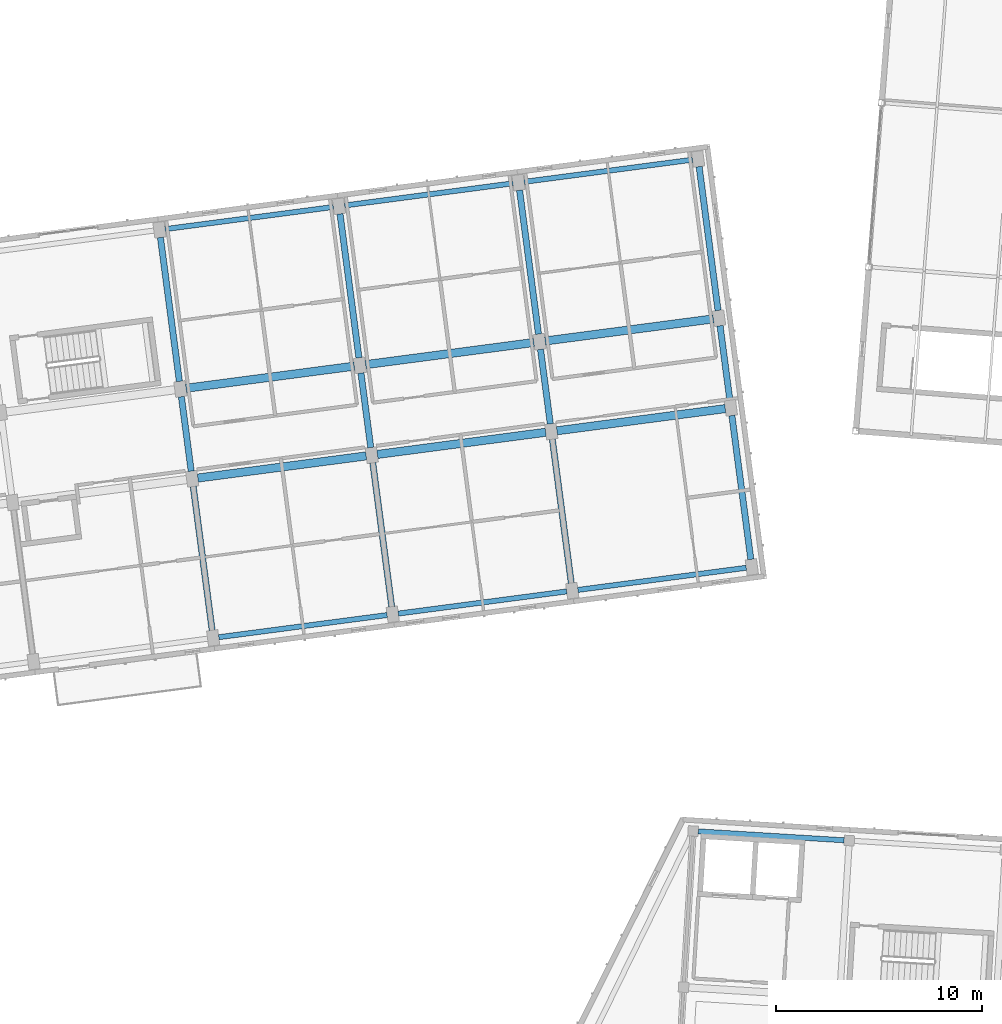
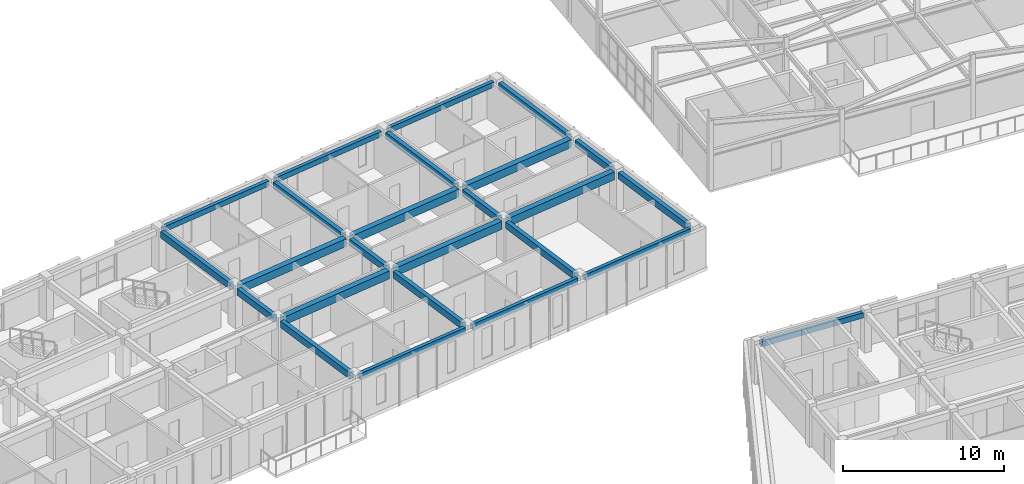
# One storey, part 36 of 127: 25 beams.
"""IFC4 building model written with IfcOpenShell, lengths in metres."""

from ifc_helpers import new_model, si_unit, direction, frame, origin, origin_2d, place, context, subcontext, project, spatial, rectangle, extrude, material, material_profile, profile_set, type_object, element, save


model = new_model("IFC4")

# Units and contexts
model_context = context("Model", 3, precision=1e-05, world=origin(), true_north=direction((0.0, 1.0)))
body_context = subcontext(model_context, "Body", "Model", "MODEL_VIEW")
ifc_project = project(units=[si_unit("LENGTHUNIT", "METRE"), si_unit("AREAUNIT", "SQUARE_METRE"), si_unit("VOLUMEUNIT", "CUBIC_METRE"), si_unit("PLANEANGLEUNIT", "RADIAN"), si_unit("MASSUNIT", "GRAM", prefix="KILO")], contexts=[model_context])

# Site, building, storey
site_placement = place(None, origin())
site = spatial("IfcSite", under=ifc_project, at=site_placement, CompositionType="ELEMENT")
building_placement = place(site_placement, origin())
building = spatial("IfcBuilding", under=site, at=building_placement, Name="Kestramere Prow Commons", CompositionType="ELEMENT")
storey_placement = place(building_placement, frame((0.0, 0.0, 8.39990234375)))
storey = spatial("IfcBuildingStorey", under=building, at=storey_placement, Name="L02", CompositionType="ELEMENT", Elevation=8.39990234375)

# Beams
ifc_material = material(Name="Precast concrete C40/50", Category="concrete")
ifc_material_profile_1 = material_profile(ifc_material, rectangle(XDim=0.39990234375, YDim=0.60009765625, at=origin_2d()), Name="PC-BM 400x600")
ifc_profile_set_1 = profile_set([ifc_material_profile_1], Name="Precast concrete C40/50")
beam_type_1 = type_object("IfcBeamType", Name="BM-A1 PC-BM 400x600", PredefinedType="BEAM", material=ifc_profile_set_1)
beam_1_placement = place(storey_placement, frame((36.628662109375, 83.215087890625, 2.7001953125), z_axis=(0.991443917843, 0.130533358852, 0.0), x_axis=(-0.130533358852, 0.991443917843, 0.0)))
element("IfcBeam", 1, at=beam_1_placement, inside=storey, type_object=beam_type_1, Name="Block A L02 Longitudinal Beam 2-4", PredefinedType="BEAM", context=body_context, shape_type="SweptSolid", body=[
    extrude(rectangle(XDim=0.39990234375, YDim=0.60009765625, at=origin_2d()), origin(), (0.0, 0.0, 1.0), 8.25),
])
beam_2_placement = place(storey_placement, frame((45.353515625, 84.36376953125, 2.7001953125), z_axis=(0.991447243185, 0.130508099291, 0.0), x_axis=(-0.130508099291, 0.991447243185, 0.0)))
element("IfcBeam", 2, at=beam_2_placement, inside=storey, type_object=beam_type_1, Name="Block A L02 Longitudinal Beam 2-5", PredefinedType="BEAM", context=body_context, shape_type="SweptSolid", body=[
    extrude(rectangle(XDim=0.39990234375, YDim=0.60009765625, at=origin_2d()), origin(), (0.0, 0.0, 1.0), 8.249755859375),
])
for number, where, z_axis, x_axis, name in (
    (3, (54.078125, 85.51220703125, 2.7001953125), (0.991443917843, 0.130533358852, 0.0), (-0.130533358852, 0.991443917843, 0.0), "Block A L02 Longitudinal Beam 2-6"),
    (4, (36.054443359375, 87.577392578125, 2.7001953125), (0.991443917843, 0.130533358852, 0.0), (-0.130533358852, 0.991443917843, 0.0), "Block A L02 Longitudinal Beam 3-4"),
    (5, (44.779052734375, 88.72607421875, 2.7001953125), (0.991443917843, 0.130533358852, 0.0), (-0.130533358852, 0.991443917843, 0.0), "Block A L02 Longitudinal Beam 3-5"),
):
    element("IfcBeam", number, at=place(storey_placement, frame(where, z_axis=z_axis, x_axis=x_axis)), inside=storey, type_object=beam_type_1, Name=name, PredefinedType="BEAM", context=body_context, shape_type="SweptSolid", body=[
        extrude(rectangle(XDim=0.39990234375, YDim=0.60009765625, at=origin_2d()), origin(), (0.0, 0.0, 1.0), 8.25),
    ])
beam_3_placement = place(storey_placement, frame((53.50390625, 89.874755859375, 2.7001953125), z_axis=(0.991447243185, 0.130508099291, 0.0), x_axis=(-0.130508099291, 0.991447243185, 0.0)))
element("IfcBeam", 6, at=beam_3_placement, inside=storey, type_object=beam_type_1, Name="Block A L02 Longitudinal Beam 3-6", PredefinedType="BEAM", context=body_context, shape_type="SweptSolid", body=[
    extrude(rectangle(XDim=0.39990234375, YDim=0.60009765625, at=origin_2d()), origin(), (0.0, 0.0, 1.0), 8.249755859375),
])
ifc_material_profile_2 = material_profile(ifc_material, rectangle(XDim=0.300048828125, YDim=0.5, at=origin_2d()), Name="PC-BM 300x500")
ifc_profile_set_2 = profile_set([ifc_material_profile_2], Name="Precast concrete C40/50")
beam_type_2 = type_object("IfcBeamType", Name="BM-TIE-01 PC-BM 300x500", PredefinedType="BEAM", material=ifc_profile_set_2)
beam_4_placement = place(storey_placement, frame((37.3251953125, 75.817626953125, 2.75), z_axis=(-0.130519009654, 0.99144580695, 0.0), x_axis=(-0.99144580695, -0.130519009654, 0.0)))
element("IfcBeam", 7, at=beam_4_placement, inside=storey, type_object=beam_type_2, Name="Block A L02 Transverse Beam 4-1", PredefinedType="BEAM", context=body_context, shape_type="SweptSolid", body=[
    extrude(rectangle(XDim=0.300048828125, YDim=0.5, at=origin_2d()), origin(), (0.0, 0.0, 1.0), 7.050048828125),
])
beam_5_placement = place(storey_placement, frame((36.30712890625, 83.551025390625, 2.75), z_axis=(-0.130568711427, 0.991439262687, 0.0), x_axis=(-0.991439262687, -0.130568711427, 0.0)))
element("IfcBeam", 8, at=beam_5_placement, inside=storey, type_object=beam_type_2, Name="Block A L02 Transverse Beam 4-2", PredefinedType="BEAM", context=body_context, shape_type="SweptSolid", body=[
    extrude(rectangle(XDim=0.300048828125, YDim=0.5, at=origin_2d()), origin(), (0.0, 0.0, 1.0), 3.64990234375),
])
for number, where, z_axis, x_axis, name in (
    (9, (35.732666015625, 87.913330078125, 2.75), (-0.130519009654, 0.99144580695, 0.0), (-0.99144580695, -0.130519009654, 0.0), "Block A L02 Transverse Beam 4-3"),
    (10, (46.0498046875, 76.96630859375, 2.75), (-0.130519009654, 0.99144580695, 0.0), (-0.99144580695, -0.130519009654, 0.0), "Block A L02 Transverse Beam 5-1"),
):
    element("IfcBeam", number, at=place(storey_placement, frame(where, z_axis=z_axis, x_axis=x_axis)), inside=storey, type_object=beam_type_2, Name=name, PredefinedType="BEAM", context=body_context, shape_type="SweptSolid", body=[
        extrude(rectangle(XDim=0.300048828125, YDim=0.5, at=origin_2d()), origin(), (0.0, 0.0, 1.0), 7.050048828125),
    ])
beam_6_placement = place(storey_placement, frame((45.03173828125, 84.699462890625, 2.75), z_axis=(-0.130494307047, 0.991449058615, 0.0), x_axis=(-0.991449058615, -0.130494307047, 0.0)))
element("IfcBeam", 11, at=beam_6_placement, inside=storey, type_object=beam_type_2, Name="Block A L02 Transverse Beam 5-2", PredefinedType="BEAM", context=body_context, shape_type="SweptSolid", body=[
    extrude(rectangle(XDim=0.300048828125, YDim=0.5, at=origin_2d()), origin(), (0.0, 0.0, 1.0), 3.650146484375),
])
beam_7_placement = place(storey_placement, frame((44.45751953125, 89.06201171875, 2.75), z_axis=(-0.130523490966, 0.991445216997, 0.0), x_axis=(-0.991445216997, -0.130523490966, 0.0)))
element("IfcBeam", 12, at=beam_7_placement, inside=storey, type_object=beam_type_2, Name="Block A L02 Transverse Beam 5-3", PredefinedType="BEAM", context=body_context, shape_type="SweptSolid", body=[
    extrude(rectangle(XDim=0.300048828125, YDim=0.5, at=origin_2d()), origin(), (0.0, 0.0, 1.0), 7.0498046875),
])
beam_8_placement = place(storey_placement, frame((54.774658203125, 78.114990234375, 2.75), z_axis=(-0.130519009654, 0.99144580695, 0.0), x_axis=(-0.99144580695, -0.130519009654, 0.0)))
element("IfcBeam", 13, at=beam_8_placement, inside=storey, type_object=beam_type_2, Name="Block A L02 Transverse Beam 6-1", PredefinedType="BEAM", context=body_context, shape_type="SweptSolid", body=[
    extrude(rectangle(XDim=0.300048828125, YDim=0.5, at=origin_2d()), origin(), (0.0, 0.0, 1.0), 7.050048828125),
])
beam_9_placement = place(storey_placement, frame((53.756591796875, 85.84814453125, 2.75), z_axis=(-0.13056005306, 0.991440402921, 0.0), x_axis=(-0.991440402921, -0.13056005306, 0.0)))
element("IfcBeam", 14, at=beam_9_placement, inside=storey, type_object=beam_type_2, Name="Block A L02 Transverse Beam 6-2", PredefinedType="BEAM", context=body_context, shape_type="SweptSolid", body=[
    extrude(rectangle(XDim=0.300048828125, YDim=0.5, at=origin_2d()), origin(), (0.0, 0.0, 1.0), 3.650146484375),
])
for number, where, z_axis, x_axis, name in (
    (15, (53.18212890625, 90.210693359375, 2.75), (-0.130523490966, 0.991445216997, 0.0), (-0.991445216997, -0.130523490966, 0.0), "Block A L02 Transverse Beam 6-3"),
    (16, (63.499267578125, 79.263671875, 2.75), (-0.130523490966, 0.991445216997, 0.0), (-0.991445216997, -0.130523490966, 0.0), "Block A L02 Transverse Beam 7-1"),
):
    element("IfcBeam", number, at=place(storey_placement, frame(where, z_axis=z_axis, x_axis=x_axis)), inside=storey, type_object=beam_type_2, Name=name, PredefinedType="BEAM", context=body_context, shape_type="SweptSolid", body=[
        extrude(rectangle(XDim=0.300048828125, YDim=0.5, at=origin_2d()), origin(), (0.0, 0.0, 1.0), 7.0498046875),
    ])
beam_10_placement = place(storey_placement, frame((62.481201171875, 86.996826171875, 2.75), z_axis=(-0.130494307047, 0.991449058615, 0.0), x_axis=(-0.991449058615, -0.130494307047, 0.0)))
element("IfcBeam", 17, at=beam_10_placement, inside=storey, type_object=beam_type_2, Name="Block A L02 Transverse Beam 7-2", PredefinedType="BEAM", context=body_context, shape_type="SweptSolid", body=[
    extrude(rectangle(XDim=0.300048828125, YDim=0.5, at=origin_2d()), origin(), (0.0, 0.0, 1.0), 3.650146484375),
])
beam_11_placement = place(storey_placement, frame((61.906982421875, 91.359130859375, 2.75), z_axis=(-0.130519009654, 0.99144580695, 0.0), x_axis=(-0.99144580695, -0.130519009654, 0.0)))
element("IfcBeam", 18, at=beam_11_placement, inside=storey, type_object=beam_type_2, Name="Block A L02 Transverse Beam 7-3", PredefinedType="BEAM", context=body_context, shape_type="SweptSolid", body=[
    extrude(rectangle(XDim=0.300048828125, YDim=0.5, at=origin_2d()), origin(), (0.0, 0.0, 1.0), 7.050048828125),
])
ifc_material_profile_3 = material_profile(ifc_material, rectangle(XDim=0.25, YDim=0.39990234375, at=origin_2d()), Name="PC-SP 250x400")
ifc_profile_set_3 = profile_set([ifc_material_profile_3], Name="Precast concrete C40/50")
beam_type_3 = type_object("IfcBeamType", Name="SP-EXT-01 PC-SP 250x400", PredefinedType="SPANDREL", material=ifc_profile_set_3)
for number, where, z_axis, x_axis, name in (
    (19, (37.646728515625, 75.481689453125, 2.800048828125), (0.991443917843, 0.130533358852, 0.0), (-0.130533358852, 0.991443917843, 0.0), "Block A L02 Longitudinal Beam 1-4"),
    (20, (46.37158203125, 76.63037109375, 2.800048828125), (0.991443917843, 0.130533358852, 0.0), (-0.130533358852, 0.991443917843, 0.0), "Block A L02 Longitudinal Beam 1-5"),
    (21, (55.09619140625, 77.779052734375, 2.800048828125), (0.991443917843, 0.130533358852, 0.0), (-0.130533358852, 0.991443917843, 0.0), "Block A L02 Longitudinal Beam 1-6"),
):
    element("IfcBeam", number, at=place(storey_placement, frame(where, z_axis=z_axis, x_axis=x_axis)), inside=storey, type_object=beam_type_3, Name=name, PredefinedType="SPANDREL", context=body_context, shape_type="SweptSolid", body=[
        extrude(rectangle(XDim=0.25, YDim=0.39990234375, at=origin_2d()), origin(), (0.0, 0.0, 1.0), 8.25),
    ])
beam_12_placement = place(storey_placement, frame((35.036376953125, 95.310791015625, 2.800048828125), z_axis=(0.991447243185, 0.130508099291, 0.0), x_axis=(-0.130508099291, 0.991447243185, 0.0)))
element("IfcBeam", 22, at=beam_12_placement, inside=storey, type_object=beam_type_3, Name="Block A L02 Longitudinal Beam 4-4", PredefinedType="SPANDREL", context=body_context, shape_type="SweptSolid", body=[
    extrude(rectangle(XDim=0.25, YDim=0.39990234375, at=origin_2d()), origin(), (0.0, 0.0, 1.0), 8.249755859375),
])
for number, where, z_axis, x_axis, name in (
    (23, (43.760986328125, 96.459228515625, 2.800048828125), (0.991443917843, 0.130533358852, 0.0), (-0.130533358852, 0.991443917843, 0.0), "Block A L02 Longitudinal Beam 4-5"),
    (24, (52.485595703125, 97.60791015625, 2.800048828125), (0.991443917843, 0.130533358852, 0.0), (-0.130533358852, 0.991443917843, 0.0), "Block A L02 Longitudinal Beam 4-6"),
):
    element("IfcBeam", number, at=place(storey_placement, frame(where, z_axis=z_axis, x_axis=x_axis)), inside=storey, type_object=beam_type_3, Name=name, PredefinedType="SPANDREL", context=body_context, shape_type="SweptSolid", body=[
        extrude(rectangle(XDim=0.25, YDim=0.39990234375, at=origin_2d()), origin(), (0.0, 0.0, 1.0), 8.25),
    ])
beam_13_placement = place(storey_placement, frame((60.946044921875, 66.048095703125, 2.800048828125), z_axis=(0.99813569621, -0.061033859059, 0.0), x_axis=(0.061033859059, 0.99813569621, 0.0)))
element("IfcBeam", 25, at=beam_13_placement, inside=storey, type_object=beam_type_3, Name="Block C L02 Longitudinal Beam 4-1", PredefinedType="SPANDREL", context=body_context, shape_type="SweptSolid", body=[
    extrude(rectangle(XDim=0.25, YDim=0.39990234375, at=origin_2d()), origin(), (0.0, 0.0, 1.0), 7.10009765625),
])

save(model, "model.ifc")
